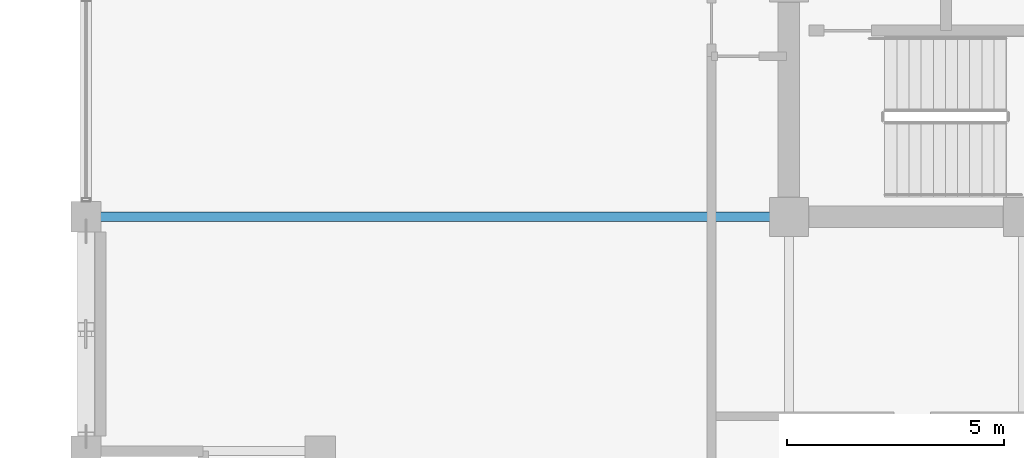
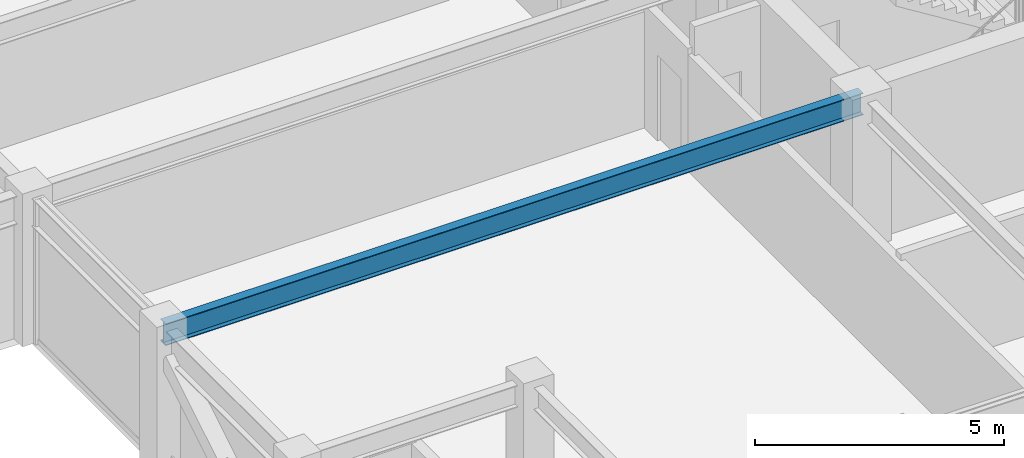
# One storey, part 5 of 29: 1 beam.
"""IFC4 building model written with IfcOpenShell, lengths in metres."""

import ifcopenshell
import ifcopenshell.guid

model = None  # the IFC model being written
_history = None  # IfcOwnerHistory: only IFC2X3 demands one
_inside = {}  # id of a spatial element -> (the spatial element, [elements in it])
_under = {}  # id of a project, library or spatial element -> (it, [spatial elements below it])
_declared = {}  # id of a project -> (the project, [libraries it declares])
_typed = {}  # id of a type object -> (the type object, [elements of that type])
_made_of = {}  # id of a material, layer set ... -> (it, [elements and type objects made of it])


def new_model(schema):
    """Start an empty IFC model of exactly this schema.

    Asked for "IFC4X3", IfcOpenShell would pick the latest addendum, in which some entities
    have other attributes; the version numbers below select the first issue.
    IFC2X3 requires an IfcOwnerHistory on every rooted entity: one is made here for all.
    """
    global model, _history
    if schema == "IFC4X3":
        model = ifcopenshell.file(schema_version=(4, 3, 0, 0))
    else:
        model = ifcopenshell.file(schema=schema)
    _inside.clear()
    _under.clear()
    _declared.clear()
    _typed.clear()
    _made_of.clear()
    _history = None
    if model.schema == "IFC2X3":
        org = make("IfcOrganization", Name="unknown")
        user = make(
            "IfcPersonAndOrganization",
            ThePerson=make("IfcPerson", FamilyName="unknown"),
            TheOrganization=org,
        )
        app = make(
            "IfcApplication",
            ApplicationDeveloper=org,
            Version="unknown",
            ApplicationFullName="unknown",
            ApplicationIdentifier="unknown",
        )
        _history = make(
            "IfcOwnerHistory",
            OwningUser=user,
            OwningApplication=app,
            ChangeAction="ADDED",
            CreationDate=0,
        )
    return model


def make(cls, **values):
    """One entity of the class cls with the attributes given. An attribute that is None is left unset."""
    return model.create_entity(
        cls, **{name: value for name, value in values.items() if value is not None}
    )


def rooted(cls, **values):
    """An entity with a GlobalId (a new one), such as an element, a storey or a relation."""
    return make(cls, GlobalId=ifcopenshell.guid.new(), OwnerHistory=_history, **values)


def si_unit(unit_type, name, prefix=None):
    """IfcSIUnit, for example si_unit("LENGTHUNIT", "METRE", prefix="MILLI")."""
    return make("IfcSIUnit", UnitType=unit_type, Prefix=prefix, Name=name)


def assignment(units):
    """IfcUnitAssignment: the units of a project."""
    return None if units is None else make("IfcUnitAssignment", Units=units)


def point(xyz):
    """IfcCartesianPoint."""
    return None if xyz is None else make("IfcCartesianPoint", Coordinates=xyz)


def direction(xyz):
    """IfcDirection."""
    return None if xyz is None else make("IfcDirection", DirectionRatios=xyz)


def frame(location, z_axis=None, x_axis=None):
    """IfcAxis2Placement3D, a coordinate frame: its origin and axes. An axis left out is left unset."""
    return make(
        "IfcAxis2Placement3D",
        Location=point(location),
        Axis=direction(z_axis),
        RefDirection=direction(x_axis),
    )


def frame_2d(location, x_axis=None):
    """IfcAxis2Placement2D, a coordinate frame in the plane: its origin and x axis."""
    return make(
        "IfcAxis2Placement2D", Location=point(location), RefDirection=direction(x_axis)
    )


def origin():
    """The frame at (0, 0, 0) with its axes left unset."""
    return frame((0.0, 0.0, 0.0))


def origin_2d():
    """The frame at (0, 0) in the plane with its x axis left unset."""
    return frame_2d((0.0, 0.0))


def place(relative_to, where):
    """IfcLocalPlacement: puts the frame where relative to a parent placement (None: the world)."""
    return make(
        "IfcLocalPlacement", PlacementRelTo=relative_to, RelativePlacement=where
    )


def context(
    kind, dimensions, precision=None, world=None, true_north=None, identifier=None
):
    """IfcGeometricRepresentationContext, for example the 3D "Model" context."""
    return make(
        "IfcGeometricRepresentationContext",
        ContextIdentifier=identifier,
        ContextType=kind,
        CoordinateSpaceDimension=dimensions,
        Precision=precision,
        WorldCoordinateSystem=world,
        TrueNorth=true_north,
    )


def subcontext(parent, identifier, kind, view, scale=None):
    """IfcGeometricRepresentationSubContext, for example "Body" below "Model"."""
    return make(
        "IfcGeometricRepresentationSubContext",
        ContextIdentifier=identifier,
        ContextType=kind,
        ParentContext=parent,
        TargetScale=scale,
        TargetView=view,
    )


def project(units=None, contexts=None):
    """IfcProject with its units and contexts."""
    return rooted(
        "IfcProject",
        Name="project",
        RepresentationContexts=contexts,
        UnitsInContext=assignment(units),
    )


def spatial(cls, under=None, at=None, **own):
    """A site, building, storey or space (cls), placed at a placement, below another one or the project."""
    s = rooted(cls, ObjectPlacement=at, **own)
    if under is not None:
        _under.setdefault(under.id(), (under, []))[1].append(s)
    return s


def profile(cls, at=None, kind="AREA", **sizes):
    """A parametric profile (cls). Its sizes go by their IFC names, for example OverallWidth=200.0."""
    return make(cls, ProfileType=kind, Position=at, **sizes)


def i_section(**sizes):
    """IfcIShapeProfileDef."""
    return profile("IfcIShapeProfileDef", **sizes)


def extrude(swept, where, along, depth):
    """IfcExtrudedAreaSolid: the profile swept, set in the frame where, extruded along a direction by depth."""
    return make(
        "IfcExtrudedAreaSolid",
        SweptArea=swept,
        Position=where,
        ExtrudedDirection=direction(along),
        Depth=depth,
    )


def shape(context_of_items, identifier, shape_type, items):
    """IfcShapeRepresentation: the items that make up one representation, for example the "Body"."""
    return make(
        "IfcShapeRepresentation",
        ContextOfItems=context_of_items,
        RepresentationIdentifier=identifier,
        RepresentationType=shape_type,
        Items=items,
    )


def material(Name=None, Category=None):
    """IfcMaterial."""
    return make("IfcMaterial", Name=Name, Category=Category)


def material_profile(
    of_material, cross_section, Name=None, Category=None, Priority=None
):
    """IfcMaterialProfile: a cross section and its material."""
    return make(
        "IfcMaterialProfile",
        Name=Name,
        Material=of_material,
        Profile=cross_section,
        Priority=Priority,
        Category=Category,
    )


def profile_set(profiles, Name=None, composite=None):
    """IfcMaterialProfileSet."""
    return make(
        "IfcMaterialProfileSet",
        Name=Name,
        MaterialProfiles=profiles,
        CompositeProfile=composite,
    )


def made_of(thing, what):
    """Note that an element or type object is made of a material, layer set ...; save() writes the relation."""
    if what is not None:
        _made_of.setdefault(what.id(), (what, []))[1].append(thing)
    return thing


def type_object(cls, material=None, **own):
    """A type object (cls), such as IfcWallType, which elements share."""
    return made_of(rooted(cls, **own), material)


def element(
    cls,
    number,
    at=None,
    inside=None,
    cuts=None,
    type_object=None,
    material=None,
    context=None,
    identifier="Body",
    shape_type=None,
    held_by="IfcProductDefinitionShape",
    body=None,
    shapes=None,
    **own,
):
    """One element of the class cls, such as IfcWall. Its Tag is "e" and its number.

    at: its placement. inside: the storey or other place that contains it. cuts: it is an
    opening in that element (IfcRelVoidsElement). A single representation is given by context,
    identifier, shape_type and body (its items); several are given by shapes. held_by: the class
    of the entity that holds the representations. save() writes the other relations.
    """
    e = rooted(cls, Tag="e%d" % number, ObjectPlacement=at, **own)
    if body is not None:
        shapes = [shape(context, identifier, shape_type, body)]
    if shapes is not None:
        e.Representation = make(held_by, Representations=shapes)
    if inside is not None:
        _inside.setdefault(inside.id(), (inside, []))[1].append(e)
    if cuts is not None:
        rooted(
            "IfcRelVoidsElement", RelatingBuildingElement=cuts, RelatedOpeningElement=e
        )
    if type_object is not None:
        _typed.setdefault(type_object.id(), (type_object, []))[1].append(e)
    return made_of(e, material)


def aggregate(whole, parts):
    """IfcRelAggregates: a whole, such as a stair, and the parts it consists of."""
    return rooted("IfcRelAggregates", RelatingObject=whole, RelatedObjects=parts)


def save(model, path):
    """Write the relations noted so far, then the file.

    IfcRelAggregates (storeys below a building ...), IfcRelContainedInSpatialStructure (elements
    in a storey), IfcRelDefinesByType, IfcRelAssociatesMaterial and IfcRelDeclares: one each for
    every whole, place, type object, material and project.
    """
    for whole, parts in _under.values():
        aggregate(whole, parts)
    for where, things in _inside.values():
        rooted(
            "IfcRelContainedInSpatialStructure",
            RelatedElements=things,
            RelatingStructure=where,
        )
    for kind, things in _typed.values():
        rooted("IfcRelDefinesByType", RelatedObjects=things, RelatingType=kind)
    for what, things in _made_of.values():
        rooted("IfcRelAssociatesMaterial", RelatedObjects=things, RelatingMaterial=what)
    for by, libraries in _declared.values():
        rooted("IfcRelDeclares", RelatingContext=by, RelatedDefinitions=libraries)
    model.write(path)


model = new_model("IFC4")

# Units and contexts
model_context = context("Model", 3, precision=1e-05, world=origin(), true_north=direction((0.0, 1.0)))
body_context = subcontext(model_context, "Body", "Model", "MODEL_VIEW")
ifc_project = project(units=[si_unit("LENGTHUNIT", "METRE"), si_unit("AREAUNIT", "SQUARE_METRE"), si_unit("VOLUMEUNIT", "CUBIC_METRE"), si_unit("PLANEANGLEUNIT", "RADIAN"), si_unit("MASSUNIT", "GRAM", prefix="KILO")], contexts=[model_context])

# Site, building, storey
site_placement = place(None, origin())
site = spatial("IfcSite", under=ifc_project, at=site_placement, CompositionType="ELEMENT")
building_placement = place(site_placement, origin())
building = spatial("IfcBuilding", under=site, at=building_placement, Name="Surkhivell Harbour Commons", CompositionType="ELEMENT")
storey_placement = place(building_placement, frame((0.0, 0.0, 277.5)))
storey = spatial("IfcBuildingStorey", under=building, at=storey_placement, Name="L72", CompositionType="ELEMENT", Elevation=277.5)

# Beam
ifc_material = material(Name="Steel S355", Category="steel")
ifc_material_profile = material_profile(ifc_material, i_section(OverallWidth=0.2099609375, OverallDepth=0.537109375, WebThickness=0.0107421875, FlangeThickness=0.017333984375, at=origin_2d()), Name="UB533x210x101")
ifc_profile_set = profile_set([ifc_material_profile], Name="Steel S355")
beam_type = type_object("IfcBeamType", Name="BM-GRD-533B", PredefinedType="BEAM", material=ifc_profile_set)
beam_placement = place(storey_placement, frame((-27.0, -10.800048828125, 3.301513671875), z_axis=(1.0, 0.0, 0.0), x_axis=(0.0, 1.0, 0.0)))
element("IfcBeam", 1, at=beam_placement, inside=storey, type_object=beam_type, Name="L72 Floor Girder (-27.0,-10.8)", PredefinedType="BEAM", context=body_context, shape_type="SweptSolid", body=[
    extrude(i_section(OverallWidth=0.2099609375, OverallDepth=0.537109375, WebThickness=0.0107421875, FlangeThickness=0.017333984375, at=origin_2d()), origin(), (0.0, 0.0, 1.0), 16.199951171875),
])

save(model, "model.ifc")
